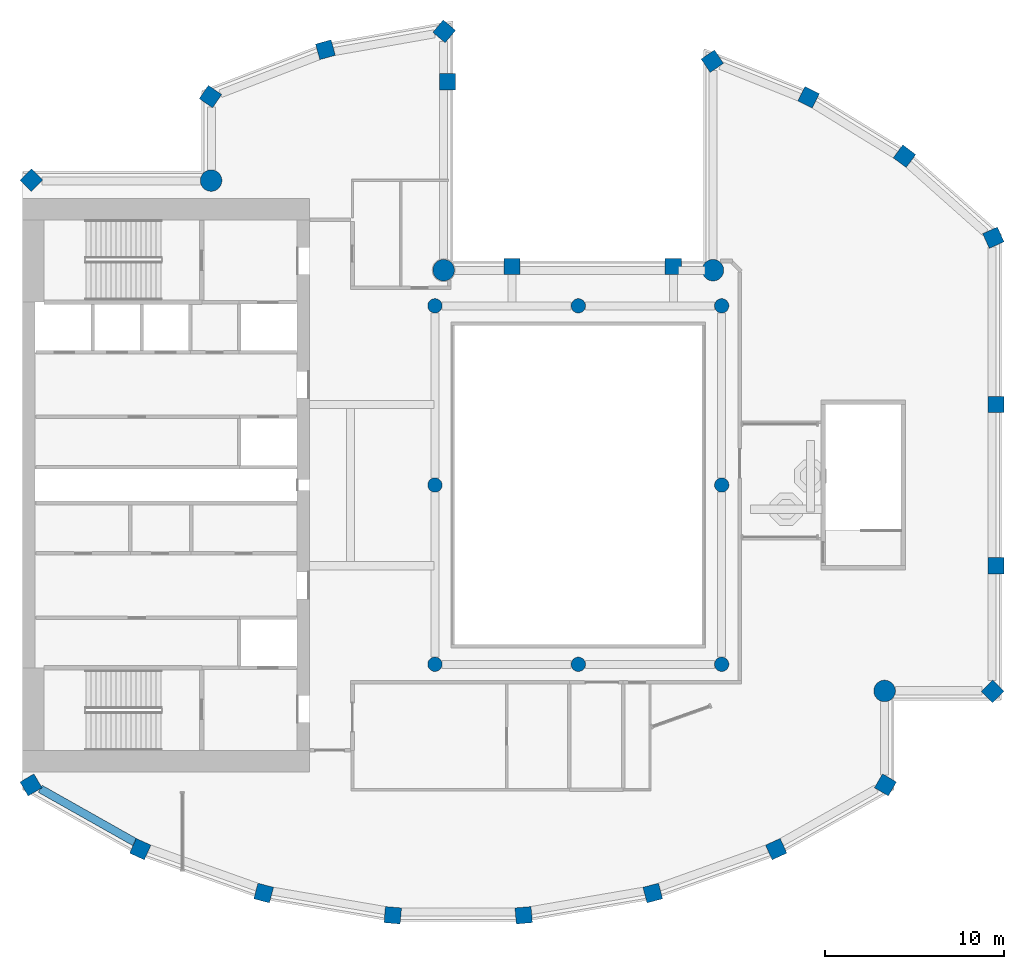
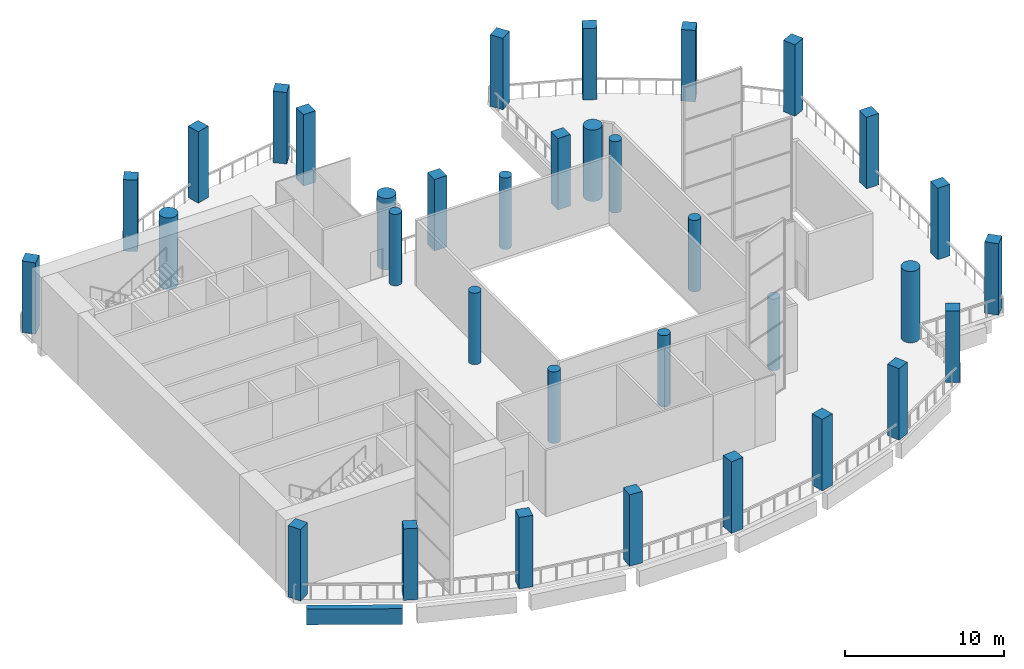
# One storey, part 1 of 12: 34 columns, 1 beam.
"""IFC4 building model written with IfcOpenShell, lengths in metres."""

from ifc_helpers import new_model, si_unit, direction, frame, origin, origin_2d, place, context, subcontext, project, spatial, rectangle, circle, extrude, material, material_profile, profile_set, type_object, element, save


model = new_model("IFC4")

# Units and contexts
model_context = context("Model", 3, precision=1e-05, world=origin(), true_north=direction((0.0, 1.0)))
body_context = subcontext(model_context, "Body", "Model", "MODEL_VIEW")
ifc_project = project(units=[si_unit("LENGTHUNIT", "METRE"), si_unit("AREAUNIT", "SQUARE_METRE"), si_unit("VOLUMEUNIT", "CUBIC_METRE"), si_unit("PLANEANGLEUNIT", "RADIAN"), si_unit("MASSUNIT", "GRAM", prefix="KILO")], contexts=[model_context])

# Site, building, storey
site_placement = place(None, origin())
site = spatial("IfcSite", under=ifc_project, at=site_placement, CompositionType="ELEMENT")
building_placement = place(site_placement, origin())
building = spatial("IfcBuilding", under=site, at=building_placement, Name="Cypress Arch Tower", CompositionType="ELEMENT")
storey_placement = place(building_placement, frame((0.0, 0.0, 329.5)))
storey = spatial("IfcBuildingStorey", under=building, at=storey_placement, Name="L75", CompositionType="ELEMENT", Elevation=329.5)

# Columns
ifc_material_1 = material(Name="Concrete C60/75", Category="concrete")
ifc_material_profile_1 = material_profile(ifc_material_1, rectangle(XDim=0.89990234375, YDim=0.89990234375, at=origin_2d()), Name="RC 900x900")
ifc_profile_set_1 = profile_set([ifc_material_profile_1], Name="Concrete C60/75")
column_type_1 = type_object("IfcColumnType", Name="Column RC 900x900 Concrete C60/75", PredefinedType="COLUMN", material=ifc_profile_set_1)
for number, where, z_axis, x_axis, name in (
    (1, (8.474853515625, 23.6474609375, 0.0), (0.0, 0.0, 1.0), (-0.828469606019, -0.560034027451, 0.0), "Column L75 CC00"),
    (2, (6.300048828125, 12.199951171875, 0.0), (0.0, 0.0, 1.0), (-1.0, 0.0, 0.0), "Column L75 CC02"),
    (3, (-2.699951171875, 12.199951171875, 0.0), (0.0, 0.0, 1.0), (-1.0, 0.0, 0.0), "Column L75 CC03"),
    (4, (-6.300048828125, 22.5, 0.0), (0.0, 0.0, 1.0), (0.0, 1.0, 0.0), "Column L75 CC05"),
    (5, (-6.48388671875, 25.313232421875, 0.0), (0.0, 0.0, 1.0), (-0.766063514674, 0.642764880407, 0.0), "Column L75 CC06"),
    (6, (-13.108154296875, 24.28955078125, 0.0), (0.0, 0.0, 1.0), (-0.96345574646, -0.267867550506, 0.0), "Column L75 CC07"),
    (7, (-19.5244140625, 21.673583984375, 0.0), (0.0, 0.0, 1.0), (-0.565892599589, -0.824478966215, 0.0), "Column L75 CC08"),
    (8, (-29.513671875, 17.013671875, 0.0), (0.0, 0.0, 1.0), (-0.707106781187, -0.707106781187, 0.0), "Column L75 CC10"),
    (9, (-29.534423828125, -16.72802734375, 0.0), (0.0, 0.0, 1.0), (0.504399289829, -0.86347053014, 0.0), "Column L75 CC11"),
    (10, (-23.439697265625, -20.312255859375, 0.0), (0.0, 0.0, 1.0), (0.909932071487, -0.414757308891, 0.0), "Column L75 CC12"),
    (11, (-16.55419921875, -22.762939453125, 0.0), (0.0, 0.0, 1.0), (0.96735573689, -0.2534223319, 0.0), "Column L75 CC13"),
    (12, (-9.351318359375, -24.00341796875, 0.0), (0.0, 0.0, 1.0), (0.996368206733, -0.085149260784, 0.0), "Column L75 CC14"),
    (13, (-2.048828125, -24.00341796875, 0.0), (0.0, 0.0, 1.0), (0.996368206733, 0.085149260784, 0.0), "Column L75 CC15"),
    (14, (5.154296875, -22.762939453125, 0.0), (0.0, 0.0, 1.0), (0.96735573689, 0.2534223319, 0.0), "Column L75 CC16"),
    (15, (12.039794921875, -20.312255859375, 0.0), (0.0, 0.0, 1.0), (0.909932071487, 0.414757308891, 0.0), "Column L75 CC17"),
    (16, (18.134521484375, -16.72802734375, 0.0), (0.0, 0.0, 1.0), (0.504399289829, 0.86347053014, 0.0), "Column L75 CC18"),
    (17, (24.113525390625, -11.513671875, 0.0), (0.0, 0.0, 1.0), (0.707106781187, 0.707106781187, 0.0), "Column L75 CC20"),
    (18, (24.300048828125, -4.5, 0.0), (0.0, 0.0, 1.0), (0.0, 1.0, 0.0), "Column L75 CC21"),
    (19, (24.300048828125, 4.5, 0.0), (0.0, 0.0, 1.0), (0.0, 1.0, 0.0), "Column L75 CC22"),
    (20, (24.155029296875, 13.800048828125, 0.0), (0.0, 0.0, 1.0), (-0.409765058504, 0.912191096662, 0.0), "Column L75 CC23"),
    (21, (19.197998046875, 18.347900390625, 0.0), (0.0, 0.0, 1.0), (-0.802798546114, 0.596250362144, 0.0), "Column L75 CC24"),
    (22, (13.84814453125, 21.638427734375, 0.0), (0.0, 0.0, 1.0), (-0.893106499805, 0.44984528452, 0.0), "Column L75 CC25"),
):
    element("IfcColumn", number, at=place(storey_placement, frame(where, z_axis=z_axis, x_axis=x_axis)), inside=storey, type_object=column_type_1, Name=name, PredefinedType="COLUMN", context=body_context, shape_type="SweptSolid", body=[
        extrude(rectangle(XDim=0.89990234375, YDim=0.89990234375, at=origin_2d()), origin(), (0.0, 0.0, 1.0), 5.5),
    ])
ifc_material_2 = material(Name="Concrete C60/75", Category="concrete")
ifc_material_profile_2 = material_profile(ifc_material_2, circle(Radius=0.39990234375, at=origin_2d()), Name="RC D800")
ifc_profile_set_2 = profile_set([ifc_material_profile_2], Name="Concrete C60/75")
column_type_2 = type_object("IfcColumnType", Name="Column RC D800 Concrete C60/75", PredefinedType="COLUMN", material=ifc_profile_set_2)
for number, where, z_axis, x_axis, name in (
    (23, (-7.0, -10.0, 0.0), (0.0, 0.0, 1.0), (1.0, 0.0, 0.0), "Column L75 RNG-L75-G-7-10"),
    (24, (-7.0, 0.0, 0.0), (0.0, 0.0, 1.0), (1.0, 0.0, 0.0), "Column L75 RNG-L75-G-7+0"),
    (25, (-7.0, 10.0, 0.0), (0.0, 0.0, 1.0), (1.0, 0.0, 0.0), "Column L75 RNG-L75-G-7+10"),
    (26, (1.0, -10.0, 0.0), (0.0, 0.0, 1.0), (1.0, 0.0, 0.0), "Column L75 RNG-L75-G+1-10"),
    (27, (1.0, 10.0, 0.0), (0.0, 0.0, 1.0), (1.0, 0.0, 0.0), "Column L75 RNG-L75-G+1+10"),
    (28, (9.0, -10.0, 0.0), (0.0, 0.0, 1.0), (1.0, 0.0, 0.0), "Column L75 RNG-L75-G+9-10"),
    (29, (9.0, 0.0, 0.0), (0.0, 0.0, 1.0), (1.0, 0.0, 0.0), "Column L75 RNG-L75-G+9+0"),
    (30, (9.0, 10.0, 0.0), (0.0, 0.0, 1.0), (1.0, 0.0, 0.0), "Column L75 RNG-L75-G+9+10"),
):
    element("IfcColumn", number, at=place(storey_placement, frame(where, z_axis=z_axis, x_axis=x_axis)), inside=storey, type_object=column_type_2, Name=name, PredefinedType="COLUMN", context=body_context, shape_type="SweptSolid", body=[
        extrude(circle(Radius=0.39990234375, at=origin_2d()), origin(), (0.0, 0.0, 1.0), 5.5),
    ])
ifc_material_3 = material(Name="Concrete C60/75", Category="concrete")
ifc_material_profile_3 = material_profile(ifc_material_3, circle(Radius=0.60009765625, at=origin_2d()), Name="RC D1200")
ifc_profile_set_3 = profile_set([ifc_material_profile_3], Name="Concrete C60/75")
column_type_3 = type_object("IfcColumnType", Name="Mega-column RC D1200 Concrete C60/75", PredefinedType="COLUMN", material=ifc_profile_set_3)
for number, where, z_axis, x_axis, name in (
    (31, (8.51220703125, 11.98779296875, 0.0), (0.0, 0.0, 1.0), (1.0, 0.0, 0.0), "Column L75 CC01"),
    (32, (-6.51220703125, 11.98779296875, 0.0), (0.0, 0.0, 1.0), (1.0, 0.0, 0.0), "Column L75 CC04"),
    (33, (-19.48779296875, 16.98779296875, 0.0), (0.0, 0.0, 1.0), (1.0, 0.0, 0.0), "Column L75 CC09"),
    (34, (18.087890625, -11.48779296875, 0.0), (0.0, 0.0, 1.0), (1.0, 0.0, 0.0), "Column L75 CC19"),
):
    element("IfcColumn", number, at=place(storey_placement, frame(where, z_axis=z_axis, x_axis=x_axis)), inside=storey, type_object=column_type_3, Name=name, PredefinedType="COLUMN", context=body_context, shape_type="SweptSolid", body=[
        extrude(circle(Radius=0.60009765625, at=origin_2d()), origin(), (0.0, 0.0, 1.0), 5.5),
    ])

# Beam
ifc_material_4 = material(Name="Concrete C50/60", Category="concrete")
ifc_material_profile_4 = material_profile(ifc_material_4, rectangle(XDim=0.449951171875, YDim=1.199951171875, at=origin_2d()), Name="RC 450x1200")
ifc_profile_set_4 = profile_set([ifc_material_profile_4], Name="Concrete C50/60")
beam_type = type_object("IfcBeamType", Name="Spandrel beam RC 450x1200 Concrete C50/60", PredefinedType="SPANDREL", material=ifc_profile_set_4)
beam_placement = place(storey_placement, frame((-29.02099609375, -16.94921875, -1.550048828125), z_axis=(0.871059543975, -0.491177433165, 0.0), x_axis=(0.491177433165, 0.871059543975, 0.0)))
element("IfcBeam", 35, at=beam_placement, inside=storey, type_object=beam_type, Name="Spandrel beam L75 BC08-0", PredefinedType="SPANDREL", context=body_context, shape_type="SweptSolid", body=[
    extrude(rectangle(XDim=0.449951171875, YDim=1.199951171875, at=origin_2d()), origin(), (0.0, 0.0, 1.0), 6.045654296875),
])

save(model, "model.ifc")
